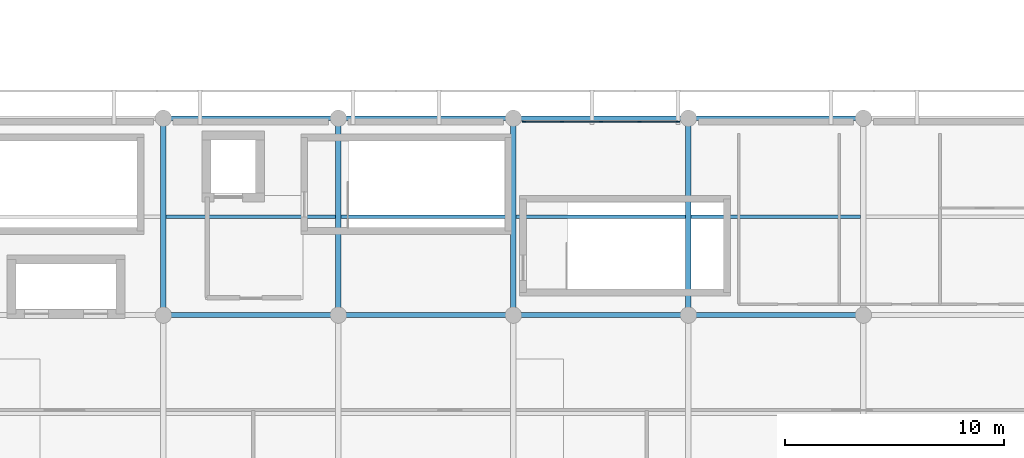
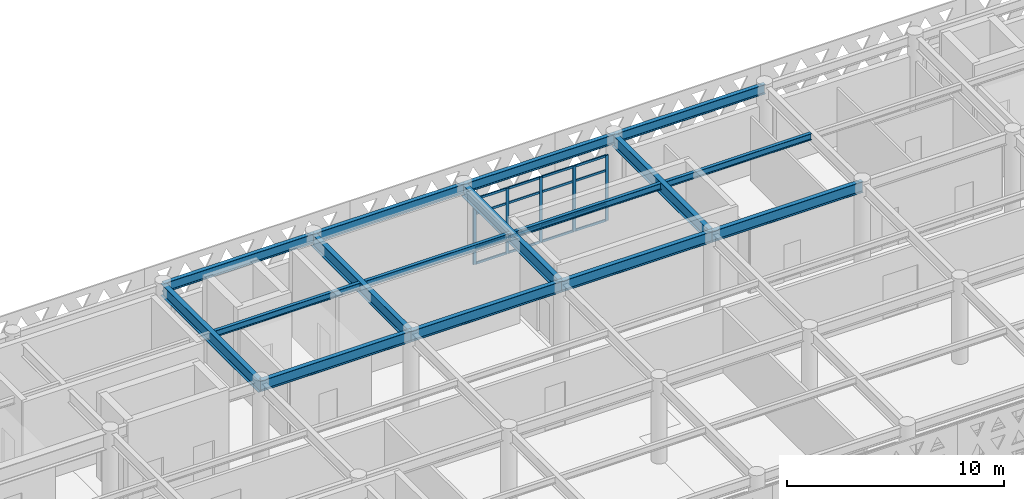
# One storey, part 9 of 26: 21 members, 16 beams, 1 element without a shape of its own.
"""IFC4 building model written with IfcOpenShell, lengths in metres."""

from ifc_helpers import new_model, si_unit, direction, frame, origin, origin_2d, place, context, subcontext, project, spatial, rectangle, i_section, extrude, material, layer, layer_set, material_profile, profile_set, type_object, element, aggregate, save


model = new_model("IFC4")

# Units and contexts
model_context = context("Model", 3, precision=1e-05, world=origin(), true_north=direction((0.0, 1.0)))
body_context = subcontext(model_context, "Body", "Model", "MODEL_VIEW")
ifc_project = project(units=[si_unit("LENGTHUNIT", "METRE"), si_unit("AREAUNIT", "SQUARE_METRE"), si_unit("VOLUMEUNIT", "CUBIC_METRE"), si_unit("PLANEANGLEUNIT", "RADIAN"), si_unit("MASSUNIT", "GRAM", prefix="KILO")], contexts=[model_context])

# Site, building, storey
site_placement = place(None, origin())
site = spatial("IfcSite", under=ifc_project, at=site_placement, CompositionType="ELEMENT")
building_placement = place(site_placement, origin())
building = spatial("IfcBuilding", under=site, at=building_placement, Name="Tlacozan Convention Centre", CompositionType="ELEMENT")
storey_placement = place(building_placement, frame((0.0, 0.0, 21.0)))
storey = spatial("IfcBuildingStorey", under=building, at=storey_placement, Name="L04", CompositionType="ELEMENT", Elevation=21.0)

# Curtain wall, members
ifc_material_1 = material(Name="Dark Bronze Anodised Aluminium", Category="aluminium")
ifc_layer = layer(ifc_material_1, 0.159912109375)
ifc_layer_set = layer_set([ifc_layer], Name="Dark Bronze Anodised Aluminium")
curtain_wall_type = type_object("IfcCurtainWallType", Name="Unitised Congress L04 South CW05", PredefinedType="NOTDEFINED", material=ifc_layer_set)
curtain_wall_placement = place(storey_placement, origin())
curtain_wall = element("IfcCurtainWall", 1, at=curtain_wall_placement, inside=storey, type_object=curtain_wall_type, Name="L04 CW-05 Run 136", PredefinedType="NOTDEFINED")
ifc_material_profile_1 = material_profile(ifc_material_1, rectangle(XDim=0.06494140625, YDim=0.159912109375, at=origin_2d()), Name="ALU 65x160")
ifc_profile_set_1 = profile_set([ifc_material_profile_1], Name="Dark Bronze Anodised Aluminium")
member_type_1 = type_object("IfcMemberType", Name="Curtain Wall Mullion 65x160", PredefinedType="MULLION", material=ifc_profile_set_1)
member_1_placement = place(storey_placement, frame((48.482421875, 26.840087890625, 0.0), z_axis=(0.0, 0.0, 1.0), x_axis=(0.0, 1.0, 0.0)))
member_1 = element("IfcMember", 2, at=member_1_placement, type_object=member_type_1, Name="CW-05 mullion 1", PredefinedType="MULLION", context=body_context, shape_type="SweptSolid", body=[
    extrude(rectangle(XDim=0.06494140625, YDim=0.159912109375, at=origin_2d()), origin(), (0.0, 0.0, 1.0), 3.679931640625),
])
member_2_placement = place(storey_placement, frame((50.22509765625, 26.840087890625, 0.0), z_axis=(0.0, 0.0, 1.0), x_axis=(0.0, 1.0, 0.0)))
member_2 = element("IfcMember", 3, at=member_2_placement, type_object=member_type_1, Name="CW-05 mullion 2", PredefinedType="MULLION", context=body_context, shape_type="SweptSolid", body=[
    extrude(rectangle(XDim=0.06494140625, YDim=0.159912109375, at=origin_2d()), origin(), (0.0, 0.0, 1.0), 3.679931640625),
])
member_3_placement = place(storey_placement, frame((52.0, 26.840087890625, 0.0), z_axis=(0.0, 0.0, 1.0), x_axis=(0.0, 1.0, 0.0)))
member_3 = element("IfcMember", 4, at=member_3_placement, type_object=member_type_1, Name="CW-05 mullion 3", PredefinedType="MULLION", context=body_context, shape_type="SweptSolid", body=[
    extrude(rectangle(XDim=0.06494140625, YDim=0.159912109375, at=origin_2d()), origin(), (0.0, 0.0, 1.0), 3.679931640625),
])
member_4_placement = place(storey_placement, frame((53.77490234375, 26.840087890625, 0.0), z_axis=(0.0, 0.0, 1.0), x_axis=(0.0, 1.0, 0.0)))
member_4 = element("IfcMember", 5, at=member_4_placement, type_object=member_type_1, Name="CW-05 mullion 4", PredefinedType="MULLION", context=body_context, shape_type="SweptSolid", body=[
    extrude(rectangle(XDim=0.06494140625, YDim=0.159912109375, at=origin_2d()), origin(), (0.0, 0.0, 1.0), 3.679931640625),
])
member_5_placement = place(storey_placement, frame((55.517578125, 26.840087890625, 0.0), z_axis=(0.0, 0.0, 1.0), x_axis=(0.0, 1.0, 0.0)))
member_5 = element("IfcMember", 6, at=member_5_placement, type_object=member_type_1, Name="CW-05 mullion 5", PredefinedType="MULLION", context=body_context, shape_type="SweptSolid", body=[
    extrude(rectangle(XDim=0.06494140625, YDim=0.159912109375, at=origin_2d()), origin(), (0.0, 0.0, 1.0), 3.679931640625),
])
ifc_material_profile_2 = material_profile(ifc_material_1, rectangle(XDim=0.06494140625, YDim=0.125, at=origin_2d()), Name="ALU 65x125")
ifc_profile_set_2 = profile_set([ifc_material_profile_2], Name="Dark Bronze Anodised Aluminium")
member_type_2 = type_object("IfcMemberType", Name="Curtain Wall Transom 65x125", PredefinedType="USERDEFINED", material=ifc_profile_set_2)
member_6_placement = place(storey_placement, frame((48.514892578125, 26.840087890625, 0.032470703125), z_axis=(1.0, 0.0, 0.0), x_axis=(0.0, 1.0, 0.0)))
member_6 = element("IfcMember", 7, at=member_6_placement, type_object=member_type_2, Name="CW-05 transom 1.1", ObjectType="TRANSOM", PredefinedType="USERDEFINED", context=body_context, shape_type="SweptSolid", body=[
    extrude(rectangle(XDim=0.06494140625, YDim=0.125, at=origin_2d()), origin(), (0.0, 0.0, 1.0), 1.677490234375),
])
member_7_placement = place(storey_placement, frame((48.514892578125, 26.840087890625, 0.89990234375), z_axis=(1.0, 0.0, 0.0), x_axis=(0.0, 1.0, 0.0)))
member_7 = element("IfcMember", 8, at=member_7_placement, type_object=member_type_2, Name="CW-05 transom 1.2", ObjectType="TRANSOM", PredefinedType="USERDEFINED", context=body_context, shape_type="SweptSolid", body=[
    extrude(rectangle(XDim=0.06494140625, YDim=0.125, at=origin_2d()), origin(), (0.0, 0.0, 1.0), 1.677490234375),
])
member_8_placement = place(storey_placement, frame((48.514892578125, 26.840087890625, 2.830078125), z_axis=(1.0, 0.0, 0.0), x_axis=(0.0, 1.0, 0.0)))
member_8 = element("IfcMember", 9, at=member_8_placement, type_object=member_type_2, Name="CW-05 transom 1.3", ObjectType="TRANSOM", PredefinedType="USERDEFINED", context=body_context, shape_type="SweptSolid", body=[
    extrude(rectangle(XDim=0.06494140625, YDim=0.125, at=origin_2d()), origin(), (0.0, 0.0, 1.0), 1.677490234375),
])
member_9_placement = place(storey_placement, frame((48.514892578125, 26.840087890625, 3.6474609375), z_axis=(1.0, 0.0, 0.0), x_axis=(0.0, 1.0, 0.0)))
member_9 = element("IfcMember", 10, at=member_9_placement, type_object=member_type_2, Name="CW-05 transom 1.4", ObjectType="TRANSOM", PredefinedType="USERDEFINED", context=body_context, shape_type="SweptSolid", body=[
    extrude(rectangle(XDim=0.06494140625, YDim=0.125, at=origin_2d()), origin(), (0.0, 0.0, 1.0), 1.677490234375),
])
member_10_placement = place(storey_placement, frame((50.257568359375, 26.840087890625, 0.032470703125), z_axis=(1.0, 0.0, 0.0), x_axis=(0.0, 1.0, 0.0)))
member_10 = element("IfcMember", 11, at=member_10_placement, type_object=member_type_2, Name="CW-05 transom 2.1", ObjectType="TRANSOM", PredefinedType="USERDEFINED", context=body_context, shape_type="SweptSolid", body=[
    extrude(rectangle(XDim=0.06494140625, YDim=0.125, at=origin_2d()), origin(), (0.0, 0.0, 1.0), 1.7099609375),
])
member_11_placement = place(storey_placement, frame((50.257568359375, 26.840087890625, 0.89990234375), z_axis=(1.0, 0.0, 0.0), x_axis=(0.0, 1.0, 0.0)))
member_11 = element("IfcMember", 12, at=member_11_placement, type_object=member_type_2, Name="CW-05 transom 2.2", ObjectType="TRANSOM", PredefinedType="USERDEFINED", context=body_context, shape_type="SweptSolid", body=[
    extrude(rectangle(XDim=0.06494140625, YDim=0.125, at=origin_2d()), origin(), (0.0, 0.0, 1.0), 1.7099609375),
])
member_12_placement = place(storey_placement, frame((50.257568359375, 26.840087890625, 2.830078125), z_axis=(1.0, 0.0, 0.0), x_axis=(0.0, 1.0, 0.0)))
member_12 = element("IfcMember", 13, at=member_12_placement, type_object=member_type_2, Name="CW-05 transom 2.3", ObjectType="TRANSOM", PredefinedType="USERDEFINED", context=body_context, shape_type="SweptSolid", body=[
    extrude(rectangle(XDim=0.06494140625, YDim=0.125, at=origin_2d()), origin(), (0.0, 0.0, 1.0), 1.7099609375),
])
member_13_placement = place(storey_placement, frame((50.257568359375, 26.840087890625, 3.6474609375), z_axis=(1.0, 0.0, 0.0), x_axis=(0.0, 1.0, 0.0)))
member_13 = element("IfcMember", 14, at=member_13_placement, type_object=member_type_2, Name="CW-05 transom 2.4", ObjectType="TRANSOM", PredefinedType="USERDEFINED", context=body_context, shape_type="SweptSolid", body=[
    extrude(rectangle(XDim=0.06494140625, YDim=0.125, at=origin_2d()), origin(), (0.0, 0.0, 1.0), 1.7099609375),
])
member_14_placement = place(storey_placement, frame((52.032470703125, 26.840087890625, 0.032470703125), z_axis=(1.0, 0.0, 0.0), x_axis=(0.0, 1.0, 0.0)))
member_14 = element("IfcMember", 15, at=member_14_placement, type_object=member_type_2, Name="CW-05 transom 3.1", ObjectType="TRANSOM", PredefinedType="USERDEFINED", context=body_context, shape_type="SweptSolid", body=[
    extrude(rectangle(XDim=0.06494140625, YDim=0.125, at=origin_2d()), origin(), (0.0, 0.0, 1.0), 1.7099609375),
])
member_15_placement = place(storey_placement, frame((52.032470703125, 26.840087890625, 0.89990234375), z_axis=(1.0, 0.0, 0.0), x_axis=(0.0, 1.0, 0.0)))
member_15 = element("IfcMember", 16, at=member_15_placement, type_object=member_type_2, Name="CW-05 transom 3.2", ObjectType="TRANSOM", PredefinedType="USERDEFINED", context=body_context, shape_type="SweptSolid", body=[
    extrude(rectangle(XDim=0.06494140625, YDim=0.125, at=origin_2d()), origin(), (0.0, 0.0, 1.0), 1.7099609375),
])
member_16_placement = place(storey_placement, frame((52.032470703125, 26.840087890625, 2.830078125), z_axis=(1.0, 0.0, 0.0), x_axis=(0.0, 1.0, 0.0)))
member_16 = element("IfcMember", 17, at=member_16_placement, type_object=member_type_2, Name="CW-05 transom 3.3", ObjectType="TRANSOM", PredefinedType="USERDEFINED", context=body_context, shape_type="SweptSolid", body=[
    extrude(rectangle(XDim=0.06494140625, YDim=0.125, at=origin_2d()), origin(), (0.0, 0.0, 1.0), 1.7099609375),
])
member_17_placement = place(storey_placement, frame((52.032470703125, 26.840087890625, 3.6474609375), z_axis=(1.0, 0.0, 0.0), x_axis=(0.0, 1.0, 0.0)))
member_17 = element("IfcMember", 18, at=member_17_placement, type_object=member_type_2, Name="CW-05 transom 3.4", ObjectType="TRANSOM", PredefinedType="USERDEFINED", context=body_context, shape_type="SweptSolid", body=[
    extrude(rectangle(XDim=0.06494140625, YDim=0.125, at=origin_2d()), origin(), (0.0, 0.0, 1.0), 1.7099609375),
])
member_18_placement = place(storey_placement, frame((53.8076171875, 26.840087890625, 0.032470703125), z_axis=(1.0, 0.0, 0.0), x_axis=(0.0, 1.0, 0.0)))
member_18 = element("IfcMember", 19, at=member_18_placement, type_object=member_type_2, Name="CW-05 transom 4.1", ObjectType="TRANSOM", PredefinedType="USERDEFINED", context=body_context, shape_type="SweptSolid", body=[
    extrude(rectangle(XDim=0.06494140625, YDim=0.125, at=origin_2d()), origin(), (0.0, 0.0, 1.0), 1.677490234375),
])
member_19_placement = place(storey_placement, frame((53.8076171875, 26.840087890625, 0.89990234375), z_axis=(1.0, 0.0, 0.0), x_axis=(0.0, 1.0, 0.0)))
member_19 = element("IfcMember", 20, at=member_19_placement, type_object=member_type_2, Name="CW-05 transom 4.2", ObjectType="TRANSOM", PredefinedType="USERDEFINED", context=body_context, shape_type="SweptSolid", body=[
    extrude(rectangle(XDim=0.06494140625, YDim=0.125, at=origin_2d()), origin(), (0.0, 0.0, 1.0), 1.677490234375),
])
member_20_placement = place(storey_placement, frame((53.8076171875, 26.840087890625, 2.830078125), z_axis=(1.0, 0.0, 0.0), x_axis=(0.0, 1.0, 0.0)))
member_20 = element("IfcMember", 21, at=member_20_placement, type_object=member_type_2, Name="CW-05 transom 4.3", ObjectType="TRANSOM", PredefinedType="USERDEFINED", context=body_context, shape_type="SweptSolid", body=[
    extrude(rectangle(XDim=0.06494140625, YDim=0.125, at=origin_2d()), origin(), (0.0, 0.0, 1.0), 1.677490234375),
])
member_21_placement = place(storey_placement, frame((53.8076171875, 26.840087890625, 3.6474609375), z_axis=(1.0, 0.0, 0.0), x_axis=(0.0, 1.0, 0.0)))
member_21 = element("IfcMember", 22, at=member_21_placement, type_object=member_type_2, Name="CW-05 transom 4.4", ObjectType="TRANSOM", PredefinedType="USERDEFINED", context=body_context, shape_type="SweptSolid", body=[
    extrude(rectangle(XDim=0.06494140625, YDim=0.125, at=origin_2d()), origin(), (0.0, 0.0, 1.0), 1.677490234375),
])
aggregate(curtain_wall, [member_1, member_2, member_3, member_4, member_5, member_6, member_7, member_8, member_9, member_10, member_11, member_12, member_13, member_14, member_15, member_16, member_17, member_18, member_19, member_20, member_21])

# Beams
ifc_material_2 = material(Name="Steel ASTM A992 Grade 50", Category="steel")
ifc_material_profile_3 = material_profile(ifc_material_2, i_section(OverallWidth=0.22900390625, OverallDepth=0.612060546875, WebThickness=0.011962890625, FlangeThickness=0.01953125, FilletRadius=0.012939453125, at=origin_2d()), Name="IR 610x125.0")
ifc_profile_set_3 = profile_set([ifc_material_profile_3], Name="Steel ASTM A992 Grade 50")
beam_type_1 = type_object("IfcBeamType", Name="Floor Beam IR 610x125", PredefinedType="BEAM", material=ifc_profile_set_3)
for number, where, z_axis, x_axis, name in (
    (23, (32.0, 18.0, 4.333984375), (1.0, 0.0, 0.0), (0.0, 1.0, 0.0), "L04 Floor Beam IR 610x125 703"),
    (24, (40.0, 18.0, 4.333984375), (1.0, 0.0, 0.0), (0.0, 1.0, 0.0), "L04 Floor Beam IR 610x125 707"),
    (25, (48.0, 18.0, 4.333984375), (1.0, 0.0, 0.0), (0.0, 1.0, 0.0), "L04 Floor Beam IR 610x125 711"),
    (26, (56.0, 18.0, 4.333984375), (1.0, 0.0, 0.0), (0.0, 1.0, 0.0), "L04 Floor Beam IR 610x125 715"),
):
    element("IfcBeam", number, at=place(storey_placement, frame(where, z_axis=z_axis, x_axis=x_axis)), inside=storey, type_object=beam_type_1, Name=name, PredefinedType="BEAM", context=body_context, shape_type="SweptSolid", body=[
        extrude(i_section(OverallWidth=0.22900390625, OverallDepth=0.612060546875, WebThickness=0.011962890625, FlangeThickness=0.01953125, FilletRadius=0.012939453125, at=origin_2d()), origin(), (0.0, 0.0, 1.0), 8.0),
    ])
ifc_material_profile_4 = material_profile(ifc_material_2, i_section(OverallWidth=0.256103515625, OverallDepth=0.693115234375, WebThickness=0.014404296875, FlangeThickness=0.023681640625, FilletRadius=0.014892578125, at=origin_2d()), Name="IR 686x170.0")
ifc_profile_set_4 = profile_set([ifc_material_profile_4], Name="Steel ASTM A992 Grade 50")
beam_type_2 = type_object("IfcBeamType", Name="Girder Steel IR 686x170", PredefinedType="BEAM", material=ifc_profile_set_4)
for number, where, z_axis, x_axis, name in (
    (27, (32.0, 18.0, 4.29345703125), (0.0, 1.0, 0.0), (-1.0, 0.0, 0.0), "L04 Girder Steel IR 686x170 661"),
    (28, (40.0, 18.0, 4.29345703125), (0.0, 1.0, 0.0), (-1.0, 0.0, 0.0), "L04 Girder Steel IR 686x170 664"),
    (29, (48.0, 18.0, 4.29345703125), (0.0, 1.0, 0.0), (-1.0, 0.0, 0.0), "L04 Girder Steel IR 686x170 667"),
    (30, (56.0, 18.0, 4.29345703125), (0.0, 1.0, 0.0), (-1.0, 0.0, 0.0), "L04 Girder Steel IR 686x170 670"),
):
    element("IfcBeam", number, at=place(storey_placement, frame(where, z_axis=z_axis, x_axis=x_axis)), inside=storey, type_object=beam_type_2, Name=name, PredefinedType="BEAM", context=body_context, shape_type="SweptSolid", body=[
        extrude(i_section(OverallWidth=0.256103515625, OverallDepth=0.693115234375, WebThickness=0.014404296875, FlangeThickness=0.023681640625, FilletRadius=0.014892578125, at=origin_2d()), origin(), (0.0, 0.0, 1.0), 9.0),
    ])
ifc_material_profile_5 = material_profile(ifc_material_2, i_section(OverallWidth=0.2109375, OverallDepth=0.5390625, WebThickness=0.01171875, FlangeThickness=0.018798828125, FilletRadius=0.012939453125, at=origin_2d()), Name="IR 533x109.0")
ifc_profile_set_5 = profile_set([ifc_material_profile_5], Name="Steel ASTM A992 Grade 50")
beam_type_3 = type_object("IfcBeamType", Name="Perimeter Spandrel IR 533x109", PredefinedType="SPANDREL", material=ifc_profile_set_5)
for number, where, z_axis, x_axis, name in (
    (31, (32.0, 27.0, 4.37060546875), (1.0, 0.0, 0.0), (0.0, 1.0, 0.0), "L04 Perimeter Spandrel IR 533x109 704"),
    (32, (40.0, 27.0, 4.37060546875), (1.0, 0.0, 0.0), (0.0, 1.0, 0.0), "L04 Perimeter Spandrel IR 533x109 708"),
    (33, (48.0, 27.0, 4.37060546875), (1.0, 0.0, 0.0), (0.0, 1.0, 0.0), "L04 Perimeter Spandrel IR 533x109 712"),
    (34, (56.0, 27.0, 4.37060546875), (1.0, 0.0, 0.0), (0.0, 1.0, 0.0), "L04 Perimeter Spandrel IR 533x109 716"),
):
    element("IfcBeam", number, at=place(storey_placement, frame(where, z_axis=z_axis, x_axis=x_axis)), inside=storey, type_object=beam_type_3, Name=name, PredefinedType="SPANDREL", context=body_context, shape_type="SweptSolid", body=[
        extrude(i_section(OverallWidth=0.2109375, OverallDepth=0.5390625, WebThickness=0.01171875, FlangeThickness=0.018798828125, FilletRadius=0.012939453125, at=origin_2d()), origin(), (0.0, 0.0, 1.0), 8.0),
    ])
ifc_material_profile_6 = material_profile(ifc_material_2, i_section(OverallWidth=0.173095703125, OverallDepth=0.364013671875, WebThickness=0.009033203125, FlangeThickness=0.015625, FilletRadius=0.010009765625, at=origin_2d()), Name="IR 356x67.1")
ifc_profile_set_6 = profile_set([ifc_material_profile_6], Name="Steel ASTM A992 Grade 50")
beam_type_4 = type_object("IfcBeamType", Name="Secondary Joist IR 356x67.1", PredefinedType="JOIST", material=ifc_profile_set_6)
for number, where, z_axis, x_axis, name in (
    (35, (32.1259765625, 22.5, 4.4580078125), (1.0, 0.0, 0.0), (0.0, 1.0, 0.0), "L04 Secondary Joist IR 356x67.1 747"),
    (36, (40.1259765625, 22.5, 4.4580078125), (1.0, 0.0, 0.0), (0.0, 1.0, 0.0), "L04 Secondary Joist IR 356x67.1 750"),
    (37, (48.1259765625, 22.5, 4.4580078125), (1.0, 0.0, 0.0), (0.0, 1.0, 0.0), "L04 Secondary Joist IR 356x67.1 753"),
    (38, (56.1259765625, 22.5, 4.4580078125), (1.0, 0.0, 0.0), (0.0, 1.0, 0.0), "L04 Secondary Joist IR 356x67.1 756"),
):
    element("IfcBeam", number, at=place(storey_placement, frame(where, z_axis=z_axis, x_axis=x_axis)), inside=storey, type_object=beam_type_4, Name=name, PredefinedType="JOIST", context=body_context, shape_type="SweptSolid", body=[
        extrude(i_section(OverallWidth=0.173095703125, OverallDepth=0.364013671875, WebThickness=0.009033203125, FlangeThickness=0.015625, FilletRadius=0.010009765625, at=origin_2d()), origin(), (0.0, 0.0, 1.0), 7.748046875),
    ])

save(model, "model.ifc")
